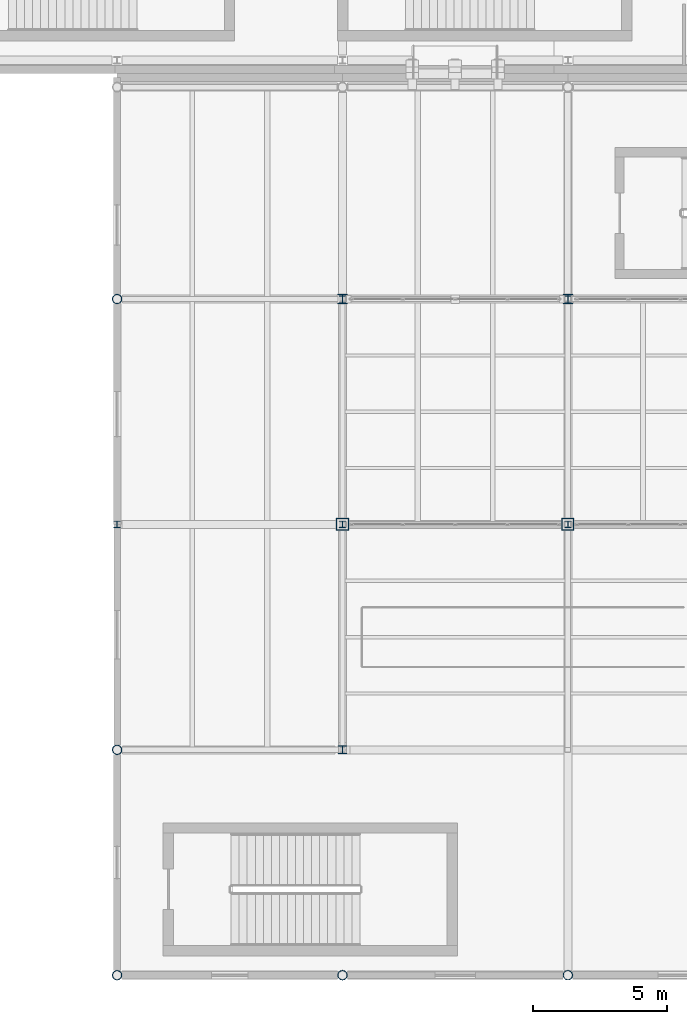
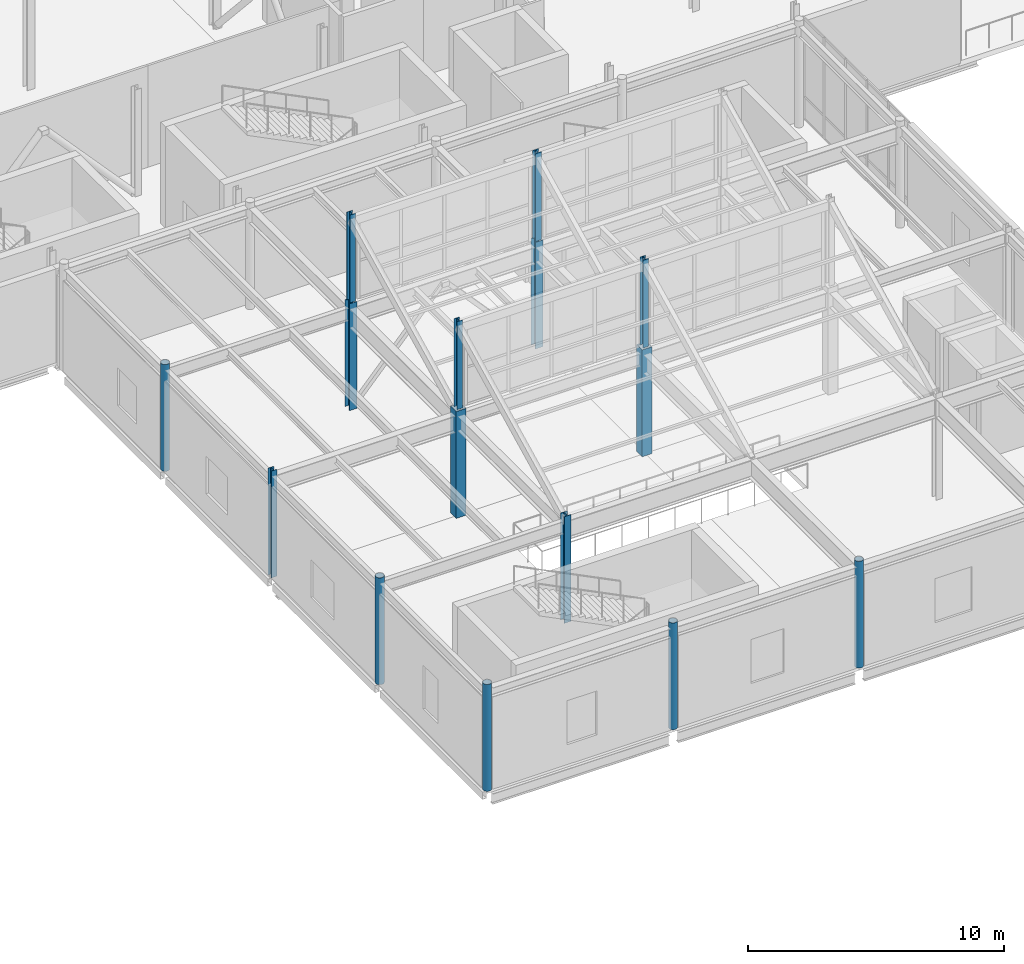
# One storey, part 6 of 91: 15 columns.
"""IFC4 building model written with IfcOpenShell, lengths in metres."""

from ifc_helpers import new_model, si_unit, direction, frame, origin, origin_2d, place, context, subcontext, project, spatial, hollow_rectangle, hollow_circle, i_section, extrude, material, material_profile, profile_set, type_object, element, save


model = new_model("IFC4")

# Units and contexts
model_context = context("Model", 3, precision=1e-05, world=origin(), true_north=direction((0.0, 1.0)))
body_context = subcontext(model_context, "Body", "Model", "MODEL_VIEW")
ifc_project = project(units=[si_unit("LENGTHUNIT", "METRE"), si_unit("AREAUNIT", "SQUARE_METRE"), si_unit("VOLUMEUNIT", "CUBIC_METRE"), si_unit("PLANEANGLEUNIT", "RADIAN"), si_unit("MASSUNIT", "GRAM", prefix="KILO"), si_unit("THERMODYNAMICTEMPERATUREUNIT", "KELVIN")], contexts=[model_context])

# Site, building, storey
site_placement = place(None, origin())
site = spatial("IfcSite", under=ifc_project, at=site_placement, CompositionType="ELEMENT")
building_placement = place(site_placement, origin())
building = spatial("IfcBuilding", under=site, at=building_placement, Name="Lustrewick Department Store", CompositionType="ELEMENT")
storey_placement = place(building_placement, frame((0.0, 0.0, 21.60009765625)))
storey = spatial("IfcBuildingStorey", under=building, at=storey_placement, Name="L05", CompositionType="ELEMENT", Elevation=21.60009765625)

# Columns
ifc_material = material(Name="Structural steel Q355B", Category="steel")
ifc_material_profile_1 = material_profile(ifc_material, hollow_rectangle(XDim=0.449951171875, YDim=0.449951171875, WallThickness=0.01806640625, at=origin_2d()), Name="BOX 450x450x18")
ifc_profile_set_1 = profile_set([ifc_material_profile_1], Name="Structural steel Q355B")
column_type_1 = type_object("IfcColumnType", Name="C07", PredefinedType="COLUMN", material=ifc_profile_set_1)
for number, where, z_axis, x_axis, name in (
    (1, (126.0, 33.60009765625, 0.0), (0.0, 0.0, 1.0), (1.0, 0.0, 0.0), "L05 V3 Column C07"),
    (2, (134.39990234375, 33.60009765625, 0.0), (0.0, 0.0, 1.0), (1.0, 0.0, 0.0), "L05 V3 Column C07"),
):
    element("IfcColumn", number, at=place(storey_placement, frame(where, z_axis=z_axis, x_axis=x_axis)), inside=storey, type_object=column_type_1, Name=name, PredefinedType="COLUMN", context=body_context, shape_type="SweptSolid", body=[
        extrude(hollow_rectangle(XDim=0.449951171875, YDim=0.449951171875, WallThickness=0.01806640625, at=origin_2d()), origin(), (0.0, 0.0, 1.0), 5.099853515625),
    ])
ifc_material_profile_2 = material_profile(ifc_material, i_section(OverallWidth=0.347900390625, OverallDepth=0.343994140625, WebThickness=0.010009765625, FlangeThickness=0.01611328125, FilletRadius=0.02001953125, at=origin_2d()), Name="HW 344x348x10x16")
ifc_profile_set_2 = profile_set([ifc_material_profile_2], Name="Structural steel Q355B")
column_type_2 = type_object("IfcColumnType", Name="C14", PredefinedType="COLUMN", material=ifc_profile_set_2)
for number, where, z_axis, x_axis, name in (
    (3, (126.0, 42.0, 0.0), (0.0, 0.0, 1.0), (1.0, 0.0, 0.0), "L05 V3 Column C14"),
    (4, (134.39990234375, 42.0, 0.0), (0.0, 0.0, 1.0), (1.0, 0.0, 0.0), "L05 V3 Column C14"),
):
    element("IfcColumn", number, at=place(storey_placement, frame(where, z_axis=z_axis, x_axis=x_axis)), inside=storey, type_object=column_type_2, Name=name, PredefinedType="COLUMN", context=body_context, shape_type="SweptSolid", body=[
        extrude(i_section(OverallWidth=0.347900390625, OverallDepth=0.343994140625, WebThickness=0.010009765625, FlangeThickness=0.01611328125, FilletRadius=0.02001953125, at=origin_2d()), origin(), (0.0, 0.0, 1.0), 5.099853515625),
    ])
ifc_material_profile_3 = material_profile(ifc_material, i_section(OverallWidth=0.300048828125, OverallDepth=0.300048828125, WebThickness=0.010009765625, FlangeThickness=0.014892578125, FilletRadius=0.01806640625, at=origin_2d()), Name="HW 300x300x10x15")
ifc_profile_set_3 = profile_set([ifc_material_profile_3], Name="Structural steel Q355B")
column_type_3 = type_object("IfcColumnType", Name="C15", PredefinedType="COLUMN", material=ifc_profile_set_3)
column_1_placement = place(storey_placement, frame((126.0, 25.199951171875, 0.0), z_axis=(0.0, 0.0, 1.0), x_axis=(1.0, 0.0, 0.0)))
element("IfcColumn", 5, at=column_1_placement, inside=storey, type_object=column_type_3, Name="L05 V3 Column C15", PredefinedType="COLUMN", context=body_context, shape_type="SweptSolid", body=[
    extrude(i_section(OverallWidth=0.300048828125, OverallDepth=0.300048828125, WebThickness=0.010009765625, FlangeThickness=0.014892578125, FilletRadius=0.01806640625, at=origin_2d()), origin(), (0.0, 0.0, 1.0), 5.099853515625),
])
ifc_material_profile_4 = material_profile(ifc_material, hollow_circle(Radius=0.177978515625, WallThickness=0.013916015625, at=origin_2d()), Name="CHS 356x14")
ifc_profile_set_4 = profile_set([ifc_material_profile_4], Name="Structural steel Q355B")
column_type_4 = type_object("IfcColumnType", Name="CE05", PredefinedType="COLUMN", material=ifc_profile_set_4)
for number, where, z_axis, x_axis, name in (
    (6, (117.60009765625, 16.800048828125, 0.0), (0.0, 0.0, 1.0), (1.0, 0.0, 0.0), "L05 V3 Column CE05"),
    (7, (117.60009765625, 25.199951171875, 0.0), (0.0, 0.0, 1.0), (1.0, 0.0, 0.0), "L05 V3 Column CE05"),
    (8, (117.60009765625, 42.0, 0.0), (0.0, 0.0, 1.0), (1.0, 0.0, 0.0), "L05 V3 Column CE05"),
    (9, (126.0, 16.800048828125, 0.0), (0.0, 0.0, 1.0), (1.0, 0.0, 0.0), "L05 V3 Column CE05"),
    (10, (134.39990234375, 16.800048828125, 0.0), (0.0, 0.0, 1.0), (1.0, 0.0, 0.0), "L05 V3 Column CE05"),
):
    element("IfcColumn", number, at=place(storey_placement, frame(where, z_axis=z_axis, x_axis=x_axis)), inside=storey, type_object=column_type_4, Name=name, PredefinedType="COLUMN", context=body_context, shape_type="SweptSolid", body=[
        extrude(hollow_circle(Radius=0.177978515625, WallThickness=0.013916015625, at=origin_2d()), origin(), (0.0, 0.0, 1.0), 5.099853515625),
    ])
ifc_material_profile_5 = material_profile(ifc_material, i_section(OverallWidth=0.25, OverallDepth=0.25, WebThickness=0.009033203125, FlangeThickness=0.013916015625, FilletRadius=0.01611328125, at=origin_2d()), Name="HW 250x250x9x14")
ifc_profile_set_5 = profile_set([ifc_material_profile_5], Name="Structural steel Q355B")
column_type_5 = type_object("IfcColumnType", Name="CE08", PredefinedType="COLUMN", material=ifc_profile_set_5)
column_2_placement = place(storey_placement, frame((117.60009765625, 33.60009765625, 0.0), z_axis=(0.0, 0.0, 1.0), x_axis=(1.0, 0.0, 0.0)))
element("IfcColumn", 11, at=column_2_placement, inside=storey, type_object=column_type_5, Name="L05 V3 Column CE08", PredefinedType="COLUMN", context=body_context, shape_type="SweptSolid", body=[
    extrude(i_section(OverallWidth=0.25, OverallDepth=0.25, WebThickness=0.009033203125, FlangeThickness=0.013916015625, FilletRadius=0.01611328125, at=origin_2d()), origin(), (0.0, 0.0, 1.0), 5.099853515625),
])
for number, where, z_axis, x_axis, name in (
    (12, (126.0, 33.60009765625, 5.099853515625), (0.0, 0.0, 1.0), (1.0, 0.0, 0.0), "V3 Lantern North Post 1.126"),
    (13, (134.39990234375, 33.60009765625, 5.099853515625), (0.0, 0.0, 1.0), (1.0, 0.0, 0.0), "V3 Lantern North Post 1.134"),
    (14, (126.0, 42.0, 5.099853515625), (0.0, 0.0, 1.0), (1.0, 0.0, 0.0), "V3 Lantern North Post 2.126"),
    (15, (134.39990234375, 42.0, 5.099853515625), (0.0, 0.0, 1.0), (1.0, 0.0, 0.0), "V3 Lantern North Post 2.134"),
):
    element("IfcColumn", number, at=place(storey_placement, frame(where, z_axis=z_axis, x_axis=x_axis)), inside=storey, type_object=column_type_5, Name=name, PredefinedType="COLUMN", context=body_context, shape_type="SweptSolid", body=[
        extrude(i_section(OverallWidth=0.25, OverallDepth=0.25, WebThickness=0.009033203125, FlangeThickness=0.013916015625, FilletRadius=0.01611328125, at=origin_2d()), origin(), (0.0, 0.0, 1.0), 4.199951171875),
    ])

save(model, "model.ifc")
